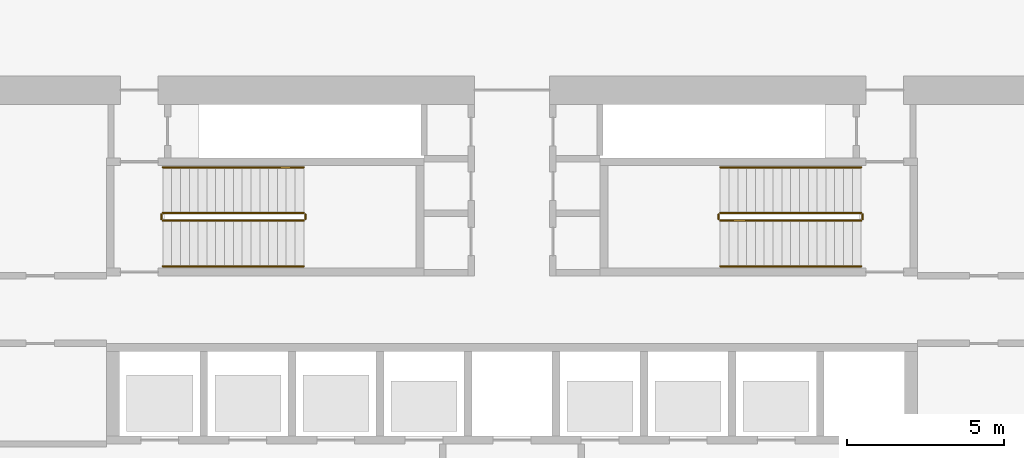
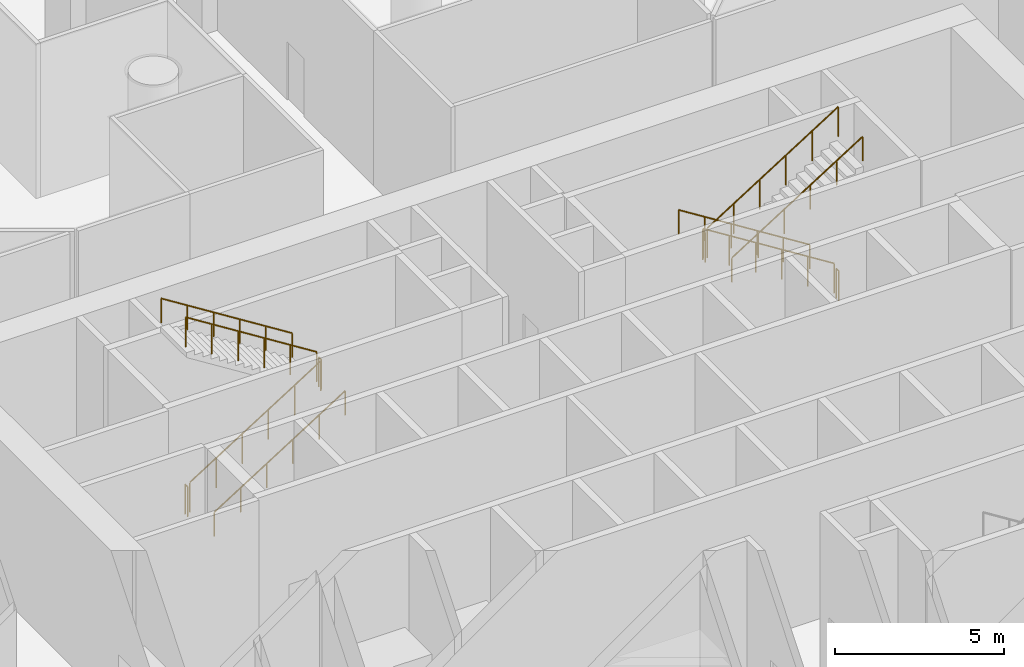
# One storey, part 36 of 44: 12 railings.
"""IFC4 building model written with IfcOpenShell, lengths in metres."""

from ifc_helpers import new_model, si_unit, direction, frame, origin, origin_2d, place, context, subcontext, project, spatial, circle, extrude, material, type_object, element, save


model = new_model("IFC4")

# Units and contexts
model_context = context("Model", 3, precision=1e-05, world=origin(), true_north=direction((0.0, 1.0)))
body_context = subcontext(model_context, "Body", "Model", "MODEL_VIEW")
ifc_project = project(units=[si_unit("LENGTHUNIT", "METRE"), si_unit("AREAUNIT", "SQUARE_METRE"), si_unit("VOLUMEUNIT", "CUBIC_METRE"), si_unit("PLANEANGLEUNIT", "RADIAN"), si_unit("MASSUNIT", "GRAM", prefix="KILO")], contexts=[model_context])

# Site, building, storey
site_placement = place(None, origin())
site = spatial("IfcSite", under=ifc_project, at=site_placement, CompositionType="ELEMENT")
building_placement = place(site_placement, origin())
building = spatial("IfcBuilding", under=site, at=building_placement, Name="Dhurran Vertical Campus", CompositionType="ELEMENT")
storey_placement = place(building_placement, origin())
storey = spatial("IfcBuildingStorey", under=building, at=storey_placement, Name="L00", CompositionType="ELEMENT", Elevation=0.0)

# Railings
ifc_material_1 = material(Name="Stainless steel balustrade", Category="steel")
railing_type_1 = type_object("IfcRailingType", Name="co-RL-GUARD-1100", PredefinedType="GUARDRAIL", material=ifc_material_1)
railing_1_placement = place(storey_placement, frame((-11.10009765625, 8.89990234375, 0.176513671875)))
element("IfcRailing", 1, at=railing_1_placement, inside=storey, type_object=railing_type_1, Name="L00 ST1 stair guard 1", PredefinedType="GUARDRAIL", context=body_context, shape_type="SweptSolid", body=[
    extrude(circle(Radius=0.02392578125, at=origin_2d()), frame((0.0, 0.0, 1.076171875), z_axis=(0.845997938375, 0.0, 0.533186166611), x_axis=(0.0, 1.0, 0.0)), (0.0, 0.0, 1.0), 5.29541015625),
    extrude(circle(Radius=0.02099609375, at=origin_2d()), origin(), (0.0, 0.0, 1.0), 1.052001953125),
    extrude(circle(Radius=0.02099609375, at=origin_2d()), frame((0.89599609375, 0.0, 0.564697265625)), (0.0, 0.0, 1.0), 1.052001953125),
    extrude(circle(Radius=0.02099609375, at=origin_2d()), frame((1.7919921875, 0.0, 1.12939453125)), (0.0, 0.0, 1.0), 1.052001953125),
    extrude(circle(Radius=0.02099609375, at=origin_2d()), frame((2.68798828125, 0.0, 1.694091796875)), (0.0, 0.0, 1.0), 1.052001953125),
    extrude(circle(Radius=0.02099609375, at=origin_2d()), frame((3.583984375, 0.0, 2.2587890625)), (0.0, 0.0, 1.0), 1.052001953125),
    extrude(circle(Radius=0.02099609375, at=origin_2d()), frame((4.47998046875, 0.0, 2.823486328125)), (0.0, 0.0, 1.0), 1.052001953125),
])
railing_2_placement = place(storey_placement, frame((-6.570068359375, 8.949951171875, 3.0)))
element("IfcRailing", 2, at=railing_2_placement, inside=storey, type_object=railing_type_1, Name="L00 ST1 stair guard 2", PredefinedType="GUARDRAIL", context=body_context, shape_type="SweptSolid", body=[
    extrude(circle(Radius=0.02392578125, at=origin_2d()), frame((0.0, 0.0, 1.076171875), z_axis=(0.0, 1.0, 0.0), x_axis=(-1.0, 0.0, 0.0)), (0.0, 0.0, 1.0), 0.150146484375),
    extrude(circle(Radius=0.02099609375, at=origin_2d()), origin(), (0.0, 0.0, 1.0), 1.052001953125),
    extrude(circle(Radius=0.02099609375, at=origin_2d()), frame((0.0, 0.150146484375, 0.0)), (0.0, 0.0, 1.0), 1.052001953125),
])
railing_3_placement = place(storey_placement, frame((-6.6201171875, 9.14990234375, 3.176513671875)))
element("IfcRailing", 3, at=railing_3_placement, inside=storey, type_object=railing_type_1, Name="L00 ST1 stair guard 3", PredefinedType="GUARDRAIL", context=body_context, shape_type="SweptSolid", body=[
    extrude(circle(Radius=0.02392578125, at=origin_2d()), frame((0.0, 0.0, 1.076171875), z_axis=(-0.845997938375, 0.0, 0.533186166611), x_axis=(0.0, -1.0, 0.0)), (0.0, 0.0, 1.0), 5.29541015625),
    extrude(circle(Radius=0.02099609375, at=origin_2d()), origin(), (0.0, 0.0, 1.0), 1.052001953125),
    extrude(circle(Radius=0.02099609375, at=origin_2d()), frame((-0.89599609375, 0.0, 0.564697265625)), (0.0, 0.0, 1.0), 1.052001953125),
    extrude(circle(Radius=0.02099609375, at=origin_2d()), frame((-1.7919921875, 0.0, 1.12939453125)), (0.0, 0.0, 1.0), 1.052001953125),
    extrude(circle(Radius=0.02099609375, at=origin_2d()), frame((-2.68798828125, 0.0, 1.694091796875)), (0.0, 0.0, 1.0), 1.052001953125),
    extrude(circle(Radius=0.02099609375, at=origin_2d()), frame((-3.583984375, 0.0, 2.2587890625)), (0.0, 0.0, 1.0), 1.052001953125),
    extrude(circle(Radius=0.02099609375, at=origin_2d()), frame((-4.47998046875, 0.0, 2.823486328125)), (0.0, 0.0, 1.0), 1.052001953125),
])
railing_4_placement = place(storey_placement, frame((-11.14990234375, 8.949951171875, 0.0)))
element("IfcRailing", 4, at=railing_4_placement, inside=storey, type_object=railing_type_1, Name="L00 ST1 stair guard 4", PredefinedType="GUARDRAIL", context=body_context, shape_type="SweptSolid", body=[
    extrude(circle(Radius=0.02392578125, at=origin_2d()), frame((0.0, 0.0, 1.076171875), z_axis=(0.0, 1.0, 0.0), x_axis=(-1.0, 0.0, 0.0)), (0.0, 0.0, 1.0), 0.150146484375),
    extrude(circle(Radius=0.02099609375, at=origin_2d()), origin(), (0.0, 0.0, 1.0), 1.052001953125),
    extrude(circle(Radius=0.02099609375, at=origin_2d()), frame((0.0, 0.150146484375, 0.0)), (0.0, 0.0, 1.0), 1.052001953125),
])
railing_5_placement = place(storey_placement, frame((11.10009765625, 9.14990234375, 0.176513671875)))
element("IfcRailing", 5, at=railing_5_placement, inside=storey, type_object=railing_type_1, Name="L00 ST2 stair guard 1", PredefinedType="GUARDRAIL", context=body_context, shape_type="SweptSolid", body=[
    extrude(circle(Radius=0.02392578125, at=origin_2d()), frame((0.0, 0.0, 1.076171875), z_axis=(-0.845997938375, 0.0, 0.533186166611), x_axis=(0.0, -1.0, 0.0)), (0.0, 0.0, 1.0), 5.29541015625),
    extrude(circle(Radius=0.02099609375, at=origin_2d()), origin(), (0.0, 0.0, 1.0), 1.052001953125),
    extrude(circle(Radius=0.02099609375, at=origin_2d()), frame((-0.89599609375, 0.0, 0.564697265625)), (0.0, 0.0, 1.0), 1.052001953125),
    extrude(circle(Radius=0.02099609375, at=origin_2d()), frame((-1.7919921875, 0.0, 1.12939453125)), (0.0, 0.0, 1.0), 1.052001953125),
    extrude(circle(Radius=0.02099609375, at=origin_2d()), frame((-2.68798828125, 0.0, 1.694091796875)), (0.0, 0.0, 1.0), 1.052001953125),
    extrude(circle(Radius=0.02099609375, at=origin_2d()), frame((-3.583984375, 0.0, 2.2587890625)), (0.0, 0.0, 1.0), 1.052001953125),
    extrude(circle(Radius=0.02099609375, at=origin_2d()), frame((-4.47998046875, 0.0, 2.823486328125)), (0.0, 0.0, 1.0), 1.052001953125),
])
railing_6_placement = place(storey_placement, frame((6.570068359375, 9.10009765625, 3.0)))
element("IfcRailing", 6, at=railing_6_placement, inside=storey, type_object=railing_type_1, Name="L00 ST2 stair guard 2", PredefinedType="GUARDRAIL", context=body_context, shape_type="SweptSolid", body=[
    extrude(circle(Radius=0.02392578125, at=origin_2d()), frame((0.0, 0.0, 1.076171875), z_axis=(0.0, -1.0, 0.0), x_axis=(1.0, 0.0, 0.0)), (0.0, 0.0, 1.0), 0.150146484375),
    extrude(circle(Radius=0.02099609375, at=origin_2d()), origin(), (0.0, 0.0, 1.0), 1.052001953125),
    extrude(circle(Radius=0.02099609375, at=origin_2d()), frame((0.0, -0.150146484375, 0.0)), (0.0, 0.0, 1.0), 1.052001953125),
])
railing_7_placement = place(storey_placement, frame((6.6201171875, 8.89990234375, 3.176513671875)))
element("IfcRailing", 7, at=railing_7_placement, inside=storey, type_object=railing_type_1, Name="L00 ST2 stair guard 3", PredefinedType="GUARDRAIL", context=body_context, shape_type="SweptSolid", body=[
    extrude(circle(Radius=0.02392578125, at=origin_2d()), frame((0.0, 0.0, 1.076171875), z_axis=(0.845997938375, 0.0, 0.533186166611), x_axis=(0.0, 1.0, 0.0)), (0.0, 0.0, 1.0), 5.29541015625),
    extrude(circle(Radius=0.02099609375, at=origin_2d()), origin(), (0.0, 0.0, 1.0), 1.052001953125),
    extrude(circle(Radius=0.02099609375, at=origin_2d()), frame((0.89599609375, 0.0, 0.564697265625)), (0.0, 0.0, 1.0), 1.052001953125),
    extrude(circle(Radius=0.02099609375, at=origin_2d()), frame((1.7919921875, 0.0, 1.12939453125)), (0.0, 0.0, 1.0), 1.052001953125),
    extrude(circle(Radius=0.02099609375, at=origin_2d()), frame((2.68798828125, 0.0, 1.694091796875)), (0.0, 0.0, 1.0), 1.052001953125),
    extrude(circle(Radius=0.02099609375, at=origin_2d()), frame((3.583984375, 0.0, 2.2587890625)), (0.0, 0.0, 1.0), 1.052001953125),
    extrude(circle(Radius=0.02099609375, at=origin_2d()), frame((4.47998046875, 0.0, 2.823486328125)), (0.0, 0.0, 1.0), 1.052001953125),
])
railing_8_placement = place(storey_placement, frame((11.14990234375, 9.10009765625, 0.0)))
element("IfcRailing", 8, at=railing_8_placement, inside=storey, type_object=railing_type_1, Name="L00 ST2 stair guard 4", PredefinedType="GUARDRAIL", context=body_context, shape_type="SweptSolid", body=[
    extrude(circle(Radius=0.02392578125, at=origin_2d()), frame((0.0, 0.0, 1.076171875), z_axis=(0.0, -1.0, 0.0), x_axis=(1.0, 0.0, 0.0)), (0.0, 0.0, 1.0), 0.150146484375),
    extrude(circle(Radius=0.02099609375, at=origin_2d()), origin(), (0.0, 0.0, 1.0), 1.052001953125),
    extrude(circle(Radius=0.02099609375, at=origin_2d()), frame((0.0, -0.150146484375, 0.0)), (0.0, 0.0, 1.0), 1.052001953125),
])
ifc_material_2 = material(Name="Stainless steel handrail", Category="steel")
railing_type_2 = type_object("IfcRailingType", Name="co-RL-HANDRAIL-900", PredefinedType="HANDRAIL", material=ifc_material_2)
railing_9_placement = place(storey_placement, frame((-11.10009765625, 7.449951171875, 0.176513671875)))
element("IfcRailing", 9, at=railing_9_placement, inside=storey, type_object=railing_type_2, Name="L00 ST1 stair handrail 1", PredefinedType="HANDRAIL", context=body_context, shape_type="SweptSolid", body=[
    extrude(circle(Radius=0.02392578125, at=origin_2d()), frame((0.0, 0.0, 0.8759765625), z_axis=(0.845997938375, 0.0, 0.533186166611), x_axis=(0.0, 1.0, 0.0)), (0.0, 0.0, 1.0), 5.29541015625),
    extrude(circle(Radius=0.02099609375, at=origin_2d()), origin(), (0.0, 0.0, 1.0), 0.851806640625),
    extrude(circle(Radius=0.02099609375, at=origin_2d()), frame((0.89599609375, 0.0, 0.564697265625)), (0.0, 0.0, 1.0), 0.851806640625),
    extrude(circle(Radius=0.02099609375, at=origin_2d()), frame((1.7919921875, 0.0, 1.12939453125)), (0.0, 0.0, 1.0), 0.851806640625),
    extrude(circle(Radius=0.02099609375, at=origin_2d()), frame((2.68798828125, 0.0, 1.694091796875)), (0.0, 0.0, 1.0), 0.851806640625),
    extrude(circle(Radius=0.02099609375, at=origin_2d()), frame((3.583984375, 0.0, 2.2587890625)), (0.0, 0.0, 1.0), 0.851806640625),
    extrude(circle(Radius=0.02099609375, at=origin_2d()), frame((4.47998046875, 0.0, 2.823486328125)), (0.0, 0.0, 1.0), 0.851806640625),
])
for number, where, name in (
    (10, (-6.6201171875, 10.60009765625, 3.176513671875), "L00 ST1 stair handrail 2"),
    (11, (11.10009765625, 10.60009765625, 0.176513671875), "L00 ST2 stair handrail 1"),
):
    element("IfcRailing", number, at=place(storey_placement, frame(where)), inside=storey, type_object=railing_type_2, Name=name, PredefinedType="HANDRAIL", context=body_context, shape_type="SweptSolid", body=[
        extrude(circle(Radius=0.02392578125, at=origin_2d()), frame((0.0, 0.0, 0.8759765625), z_axis=(-0.845997938375, 0.0, 0.533186166611), x_axis=(0.0, -1.0, 0.0)), (0.0, 0.0, 1.0), 5.29541015625),
        extrude(circle(Radius=0.02099609375, at=origin_2d()), origin(), (0.0, 0.0, 1.0), 0.851806640625),
        extrude(circle(Radius=0.02099609375, at=origin_2d()), frame((-0.89599609375, 0.0, 0.564697265625)), (0.0, 0.0, 1.0), 0.851806640625),
        extrude(circle(Radius=0.02099609375, at=origin_2d()), frame((-1.7919921875, 0.0, 1.12939453125)), (0.0, 0.0, 1.0), 0.851806640625),
        extrude(circle(Radius=0.02099609375, at=origin_2d()), frame((-2.68798828125, 0.0, 1.694091796875)), (0.0, 0.0, 1.0), 0.851806640625),
        extrude(circle(Radius=0.02099609375, at=origin_2d()), frame((-3.583984375, 0.0, 2.2587890625)), (0.0, 0.0, 1.0), 0.851806640625),
        extrude(circle(Radius=0.02099609375, at=origin_2d()), frame((-4.47998046875, 0.0, 2.823486328125)), (0.0, 0.0, 1.0), 0.851806640625),
    ])
railing_10_placement = place(storey_placement, frame((6.6201171875, 7.449951171875, 3.176513671875)))
element("IfcRailing", 12, at=railing_10_placement, inside=storey, type_object=railing_type_2, Name="L00 ST2 stair handrail 2", PredefinedType="HANDRAIL", context=body_context, shape_type="SweptSolid", body=[
    extrude(circle(Radius=0.02392578125, at=origin_2d()), frame((0.0, 0.0, 0.8759765625), z_axis=(0.845997938375, 0.0, 0.533186166611), x_axis=(0.0, 1.0, 0.0)), (0.0, 0.0, 1.0), 5.29541015625),
    extrude(circle(Radius=0.02099609375, at=origin_2d()), origin(), (0.0, 0.0, 1.0), 0.851806640625),
    extrude(circle(Radius=0.02099609375, at=origin_2d()), frame((0.89599609375, 0.0, 0.564697265625)), (0.0, 0.0, 1.0), 0.851806640625),
    extrude(circle(Radius=0.02099609375, at=origin_2d()), frame((1.7919921875, 0.0, 1.12939453125)), (0.0, 0.0, 1.0), 0.851806640625),
    extrude(circle(Radius=0.02099609375, at=origin_2d()), frame((2.68798828125, 0.0, 1.694091796875)), (0.0, 0.0, 1.0), 0.851806640625),
    extrude(circle(Radius=0.02099609375, at=origin_2d()), frame((3.583984375, 0.0, 2.2587890625)), (0.0, 0.0, 1.0), 0.851806640625),
    extrude(circle(Radius=0.02099609375, at=origin_2d()), frame((4.47998046875, 0.0, 2.823486328125)), (0.0, 0.0, 1.0), 0.851806640625),
])

save(model, "model.ifc")
